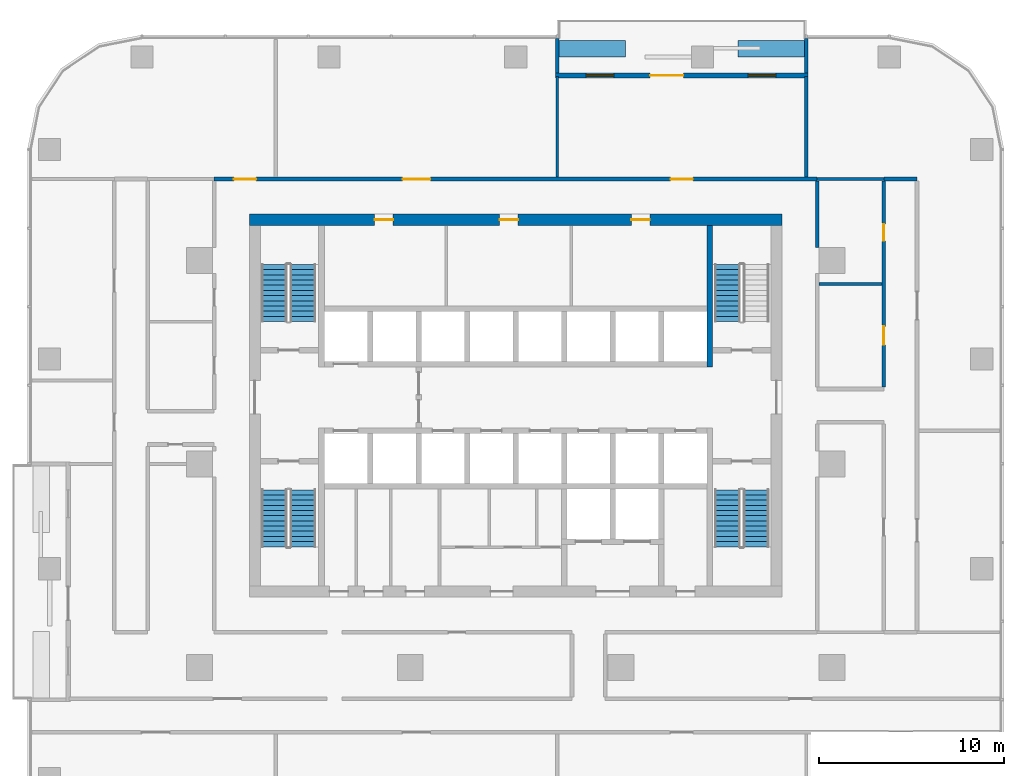
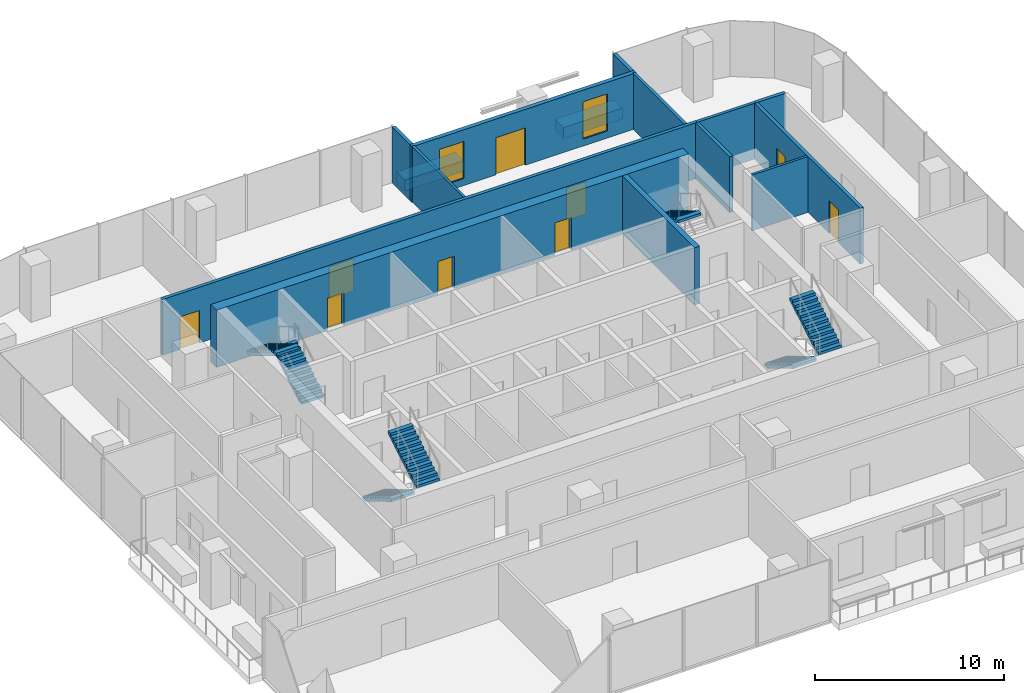
# One storey, part 10 of 14: 15 walls, 9 doors, 7 stair flights, 2 windows, 11 openings, 4 elements without a shape of their own.
"""IFC4 building model written with IfcOpenShell, lengths in metres."""

from ifc_helpers import new_model, si_unit, direction, frame, frame_2d, origin, place, context, subcontext, project, spatial, polyline, rectangle, outline, extrude, material, layer, layer_set, type_object, element, fill, aggregate, save


model = new_model("IFC4")

# Units and contexts
model_context = context("Model", 3, precision=1e-05, world=origin(), true_north=direction((0.0, 1.0)))
body_context = subcontext(model_context, "Body", "Model", "MODEL_VIEW")
ifc_project = project(units=[si_unit("LENGTHUNIT", "METRE"), si_unit("AREAUNIT", "SQUARE_METRE"), si_unit("VOLUMEUNIT", "CUBIC_METRE"), si_unit("PLANEANGLEUNIT", "RADIAN"), si_unit("MASSUNIT", "GRAM", prefix="KILO")], contexts=[model_context])

# Site, building, storey
site_placement = place(None, origin())
site = spatial("IfcSite", under=ifc_project, at=site_placement, CompositionType="ELEMENT")
building_placement = place(site_placement, origin())
building = spatial("IfcBuilding", under=site, at=building_placement, Name="Mopane Tessera Tower", CompositionType="ELEMENT")
storey_placement = place(building_placement, frame((0.0, 0.0, 197.0)))
storey = spatial("IfcBuildingStorey", under=building, at=storey_placement, Name="L41", CompositionType="ELEMENT", Elevation=197.0)

# Wall, openings, doors
ifc_material_1 = material(Name="Concrete C70/85", Category="concrete")
ifc_layer_1 = layer(ifc_material_1, 0.60009765625)
ifc_layer_set_1 = layer_set([ifc_layer_1], Name="Concrete C70/85")
wall_type_1 = type_object("IfcWallType", Name="Core shear wall 600 mm", PredefinedType="SHEAR", material=ifc_layer_set_1)
wall_1_placement = place(storey_placement, frame((-14.39990234375, 13.199951171875, 0.0), z_axis=(0.0, 0.0, 1.0), x_axis=(1.0, 0.0, 0.0)))
wall_1 = element("IfcWall", 1, at=wall_1_placement, inside=storey, type_object=wall_type_1, Name="L41 Core wall north", PredefinedType="SHEAR", context=body_context, shape_type="SweptSolid", body=[
    extrude(rectangle(XDim=28.7998046875, YDim=0.60009765625, at=frame_2d((14.39990234375, 0.0))), origin(), (0.0, 0.0, 1.0), 3.699951171875),
])
opening_1_placement = place(wall_1_placement, frame((6.77490234375, 0.0, 0.0)))
opening_1 = element("IfcOpeningElement", 2, at=opening_1_placement, cuts=wall_1, Name="Opening RD1", PredefinedType="OPENING", context=body_context, shape_type="SweptSolid", body=[
    extrude(rectangle(XDim=1.0, YDim=2.10009765625, at=frame_2d((0.5, 1.050048828125))), frame((0.0, 0.31201171875, 0.0), z_axis=(0.0, -1.0, 0.0), x_axis=(1.0, 0.0, 0.0)), (0.0, 0.0, 1.0), 0.6240234375),
])
opening_2_placement = place(wall_1_placement, frame((13.52490234375, 0.0, 0.0)))
opening_2 = element("IfcOpeningElement", 3, at=opening_2_placement, cuts=wall_1, Name="Opening RD1", PredefinedType="OPENING", context=body_context, shape_type="SweptSolid", body=[
    extrude(rectangle(XDim=1.0, YDim=2.10009765625, at=frame_2d((0.5, 1.050048828125))), frame((0.0, 0.31201171875, 0.0), z_axis=(0.0, -1.0, 0.0), x_axis=(1.0, 0.0, 0.0)), (0.0, 0.0, 1.0), 0.6240234375),
])
opening_3_placement = place(wall_1_placement, frame((20.64990234375, 0.0, 0.0)))
opening_3 = element("IfcOpeningElement", 4, at=opening_3_placement, cuts=wall_1, Name="Opening RD1", PredefinedType="OPENING", context=body_context, shape_type="SweptSolid", body=[
    extrude(rectangle(XDim=1.0, YDim=2.10009765625, at=frame_2d((0.5, 1.050048828125))), frame((0.0, 0.31201171875, 0.0), z_axis=(0.0, -1.0, 0.0), x_axis=(1.0, 0.0, 0.0)), (0.0, 0.0, 1.0), 0.6240234375),
])
ifc_material_2 = material(Name="Timber door", Category="wood")
door_type_1 = type_object("IfcDoorType", Name="Core room door 1000 x 2100", OperationType="SINGLE_SWING_LEFT", PredefinedType="DOOR", material=ifc_material_2)
door_1_placement = place(opening_1_placement, origin())
door_1 = element("IfcDoor", 5, at=door_1_placement, inside=storey, type_object=door_type_1, Name="L41 Room door", OperationType="SINGLE_SWING_LEFT", OverallHeight=2.10009765625, OverallWidth=1.0, PredefinedType="DOOR", context=body_context, shape_type="SweptSolid", body=[
    extrude(rectangle(XDim=1.0, YDim=2.10009765625, at=frame_2d((0.5, 1.050048828125))), frame((0.0, 0.02490234375, 0.0), z_axis=(0.0, -1.0, 0.0), x_axis=(1.0, 0.0, 0.0)), (0.0, 0.0, 1.0), 0.050048828125),
])
fill(opening_1, door_1)
door_2_placement = place(opening_2_placement, origin())
door_2 = element("IfcDoor", 6, at=door_2_placement, inside=storey, type_object=door_type_1, Name="L41 Room door", OperationType="SINGLE_SWING_LEFT", OverallHeight=2.10009765625, OverallWidth=1.0, PredefinedType="DOOR", context=body_context, shape_type="SweptSolid", body=[
    extrude(rectangle(XDim=1.0, YDim=2.10009765625, at=frame_2d((0.5, 1.050048828125))), frame((0.0, 0.02490234375, 0.0), z_axis=(0.0, -1.0, 0.0), x_axis=(1.0, 0.0, 0.0)), (0.0, 0.0, 1.0), 0.050048828125),
])
fill(opening_2, door_2)
door_3_placement = place(opening_3_placement, origin())
door_3 = element("IfcDoor", 7, at=door_3_placement, inside=storey, type_object=door_type_1, Name="L41 Room door", OperationType="SINGLE_SWING_LEFT", OverallHeight=2.10009765625, OverallWidth=1.0, PredefinedType="DOOR", context=body_context, shape_type="SweptSolid", body=[
    extrude(rectangle(XDim=1.0, YDim=2.10009765625, at=frame_2d((0.5, 1.050048828125))), frame((0.0, 0.02490234375, 0.0), z_axis=(0.0, -1.0, 0.0), x_axis=(1.0, 0.0, 0.0)), (0.0, 0.0, 1.0), 0.050048828125),
])
fill(opening_3, door_3)

# Walls
ifc_material_3 = material(Name="Concrete C60/75", Category="concrete")
ifc_layer_2 = layer(ifc_material_3, 0.300048828125)
ifc_layer_set_2 = layer_set([ifc_layer_2], Name="Concrete C60/75")
wall_type_2 = type_object("IfcWallType", Name="Core spine wall 300 mm", PredefinedType="SHEAR", material=ifc_layer_set_2)
wall_2_placement = place(storey_placement, frame((10.5, 5.25, 0.0), z_axis=(0.0, 0.0, 1.0), x_axis=(0.0, 1.0, 0.0)))
element("IfcWall", 8, at=wall_2_placement, inside=storey, type_object=wall_type_2, Name="L41 Core spine wall", PredefinedType="SHEAR", context=body_context, shape_type="SweptSolid", body=[
    extrude(rectangle(XDim=7.64990234375, YDim=0.300048828125, at=frame_2d((3.824951171875, 0.0))), origin(), (0.0, 0.0, 1.0), 3.699951171875),
])
ifc_material_4 = material(Name="Gypsum board on staggered steel studs, double layer each face, acoustic mineral wool infill", Category="steel")
ifc_layer_3 = layer(ifc_material_4, 0.175048828125)
ifc_layer_set_3 = layer_set([ifc_layer_3], Name="Gypsum board on staggered steel studs, double layer each face, acoustic mineral wool infill")
wall_type_3 = type_object("IfcWallType", Name="Gypsum board acoustic partition 175, rated EI 60", PredefinedType="PARTITIONING", material=ifc_layer_set_3)
wall_3_placement = place(storey_placement, frame((16.300048828125, 15.39990234375, 0.0), z_axis=(0.0, 0.0, 1.0), x_axis=(1.0, 0.0, 0.0)))
element("IfcWall", 9, at=wall_3_placement, inside=storey, type_object=wall_type_3, Name="Partition L41:023", PredefinedType="PARTITIONING", context=body_context, shape_type="SweptSolid", body=[
    extrude(rectangle(XDim=3.599853515625, YDim=0.175048828125, at=frame_2d((1.7998046875, 0.0))), origin(), (0.0, 0.0, 1.0), 3.60009765625),
])
wall_4_placement = place(storey_placement, frame((15.7099609375, 15.5, 0.0), z_axis=(0.0, 0.0, 1.0), x_axis=(0.0, 1.0, 0.0)))
element("IfcWall", 10, at=wall_4_placement, inside=storey, type_object=wall_type_3, Name="Partition L41:041", PredefinedType="PARTITIONING", context=body_context, shape_type="SweptSolid", body=[
    extrude(rectangle(XDim=5.449951171875, YDim=0.175048828125, at=frame_2d((2.72509765625, 0.0))), origin(), (0.0, 0.0, 1.0), 3.60009765625),
])

# Wall, openings, doors
ifc_material_5 = material(Name="Gypsum board on steel studs, two layers each face, mineral wool infill", Category="steel")
ifc_layer_4 = layer(ifc_material_5, 0.199951171875)
ifc_layer_set_4 = layer_set([ifc_layer_4], Name="Gypsum board on steel studs, two layers each face, mineral wool infill")
wall_type_4 = type_object("IfcWallType", Name="Gypsum board corridor wall 200, rated EI 60", PredefinedType="PARTITIONING", material=ifc_layer_set_4)
wall_5_placement = place(storey_placement, frame((-16.300048828125, 15.39990234375, 0.0), z_axis=(0.0, 0.0, 1.0), x_axis=(1.0, 0.0, 0.0)))
wall_5 = element("IfcWall", 11, at=wall_5_placement, inside=storey, type_object=wall_type_4, Name="Partition L41:025", PredefinedType="PARTITIONING", context=body_context, shape_type="SweptSolid", body=[
    extrude(rectangle(XDim=32.60009765625, YDim=0.199951171875, at=frame_2d((16.300048828125, 0.0))), origin(), (0.0, 0.0, 1.0), 3.60009765625),
])
opening_4_placement = place(wall_5_placement, frame((10.18505859375, 0.0, 0.0)))
opening_4 = element("IfcOpeningElement", 12, at=opening_4_placement, cuts=wall_5, Name="Opening L41-13", PredefinedType="OPENING", context=body_context, shape_type="SweptSolid", body=[
    extrude(rectangle(XDim=1.5, YDim=2.10009765625, at=frame_2d((0.75, 1.050048828125))), frame((0.0, 0.112060546875, 0.0), z_axis=(0.0, -1.0, 0.0), x_axis=(1.0, 0.0, 0.0)), (0.0, 0.0, 1.0), 0.223876953125),
])
opening_5_placement = place(wall_5_placement, frame((1.0625, 0.0, 0.0)))
opening_5 = element("IfcOpeningElement", 13, at=opening_5_placement, cuts=wall_5, Name="Opening L41-15", PredefinedType="OPENING", context=body_context, shape_type="SweptSolid", body=[
    extrude(rectangle(XDim=1.199951171875, YDim=2.10009765625, at=frame_2d((0.60009765625, 1.050048828125))), frame((0.0, 0.112060546875, 0.0), z_axis=(0.0, -1.0, 0.0), x_axis=(1.0, 0.0, 0.0)), (0.0, 0.0, 1.0), 0.223876953125),
])
opening_6_placement = place(wall_5_placement, frame((24.677490234375, 0.0, 0.0)))
opening_6 = element("IfcOpeningElement", 14, at=opening_6_placement, cuts=wall_5, Name="Opening L41-20", PredefinedType="OPENING", context=body_context, shape_type="SweptSolid", body=[
    extrude(rectangle(XDim=1.199951171875, YDim=2.10009765625, at=frame_2d((0.60009765625, 1.050048828125))), frame((0.0, 0.112060546875, 0.0), z_axis=(0.0, -1.0, 0.0), x_axis=(1.0, 0.0, 0.0)), (0.0, 0.0, 1.0), 0.223876953125),
])
ifc_material_6 = material(Name="Timber veneered steel-framed fire door", Category="steel")
door_type_2 = type_object("IfcDoorType", Name="Fire door FD60 1200 x 2100", OperationType="SINGLE_SWING_LEFT", PredefinedType="DOOR", material=ifc_material_6)
door_4_placement = place(opening_5_placement, origin())
door_4 = element("IfcDoor", 15, at=door_4_placement, inside=storey, type_object=door_type_2, Name="Door L41-15", ObjectType="D15A", OperationType="SINGLE_SWING_RIGHT", OverallHeight=2.10009765625, OverallWidth=1.199951171875, PredefinedType="DOOR", context=body_context, shape_type="SweptSolid", body=[
    extrude(rectangle(XDim=1.199951171875, YDim=2.10009765625, at=frame_2d((0.60009765625, 1.050048828125))), frame((0.0, 0.02490234375, 0.0), z_axis=(0.0, -1.0, 0.0), x_axis=(1.0, 0.0, 0.0)), (0.0, 0.0, 1.0), 0.050048828125),
])
fill(opening_5, door_4)
door_5_placement = place(opening_6_placement, origin())
door_5 = element("IfcDoor", 16, at=door_5_placement, inside=storey, type_object=door_type_2, Name="Door L41-20", ObjectType="D15A", OperationType="SINGLE_SWING_LEFT", OverallHeight=2.10009765625, OverallWidth=1.199951171875, PredefinedType="DOOR", context=body_context, shape_type="SweptSolid", body=[
    extrude(rectangle(XDim=1.199951171875, YDim=2.10009765625, at=frame_2d((0.60009765625, 1.050048828125))), frame((0.0, 0.02490234375, 0.0), z_axis=(0.0, -1.0, 0.0), x_axis=(1.0, 0.0, 0.0)), (0.0, 0.0, 1.0), 0.050048828125),
])
fill(opening_6, door_5)
ifc_material_7 = material(Name="Timber veneered steel-framed fire door", Category="steel")
door_type_3 = type_object("IfcDoorType", Name="Fire door pair FD60 1500 x 2100", OperationType="DOUBLE_DOOR_SINGLE_SWING", PredefinedType="DOOR", material=ifc_material_7)
door_6_placement = place(opening_4_placement, origin())
door_6 = element("IfcDoor", 17, at=door_6_placement, inside=storey, type_object=door_type_3, Name="Door L41-13", ObjectType="D17A", OperationType="DOUBLE_DOOR_SINGLE_SWING", OverallHeight=2.10009765625, OverallWidth=1.5, PredefinedType="DOOR", context=body_context, shape_type="SweptSolid", body=[
    extrude(rectangle(XDim=1.5, YDim=2.10009765625, at=frame_2d((0.75, 1.050048828125))), frame((0.0, 0.02490234375, 0.0), z_axis=(0.0, -1.0, 0.0), x_axis=(1.0, 0.0, 0.0)), (0.0, 0.0, 1.0), 0.050048828125),
])
fill(opening_4, door_6)

# Walls
wall_6_placement = place(storey_placement, frame((19.89990234375, 15.39990234375, 0.0), z_axis=(0.0, 0.0, 1.0), x_axis=(1.0, 0.0, 0.0)))
element("IfcWall", 18, at=wall_6_placement, inside=storey, type_object=wall_type_4, Name="Partition L41:026", PredefinedType="PARTITIONING", context=body_context, shape_type="SweptSolid", body=[
    extrude(rectangle(XDim=1.800048828125, YDim=0.199951171875, at=frame_2d((0.89990234375, 0.0))), origin(), (0.0, 0.0, 1.0), 3.60009765625),
])
wall_7_placement = place(storey_placement, frame((16.300048828125, 11.699951171875, 0.0), z_axis=(0.0, 0.0, 1.0), x_axis=(0.0, 1.0, 0.0)))
element("IfcWall", 19, at=wall_7_placement, inside=storey, type_object=wall_type_4, Name="Partition L41:045", PredefinedType="PARTITIONING", context=body_context, shape_type="SweptSolid", body=[
    extrude(rectangle(XDim=3.60009765625, YDim=0.199951171875, at=frame_2d((1.800048828125, 0.0))), origin(), (0.0, 0.0, 1.0), 3.60009765625),
])

# Wall, openings, doors
wall_8_placement = place(storey_placement, frame((19.89990234375, 4.14990234375, 0.0), z_axis=(0.0, 0.0, 1.0), x_axis=(0.0, 1.0, 0.0)))
wall_8 = element("IfcWall", 20, at=wall_8_placement, inside=storey, type_object=wall_type_4, Name="Partition L41:047", PredefinedType="PARTITIONING", context=body_context, shape_type="SweptSolid", body=[
    extrude(rectangle(XDim=11.150146484375, YDim=0.199951171875, at=frame_2d((5.5751953125, 0.0))), origin(), (0.0, 0.0, 1.0), 3.60009765625),
])
opening_7_placement = place(wall_8_placement, frame((7.91259765625, 0.0, 0.0)))
opening_7 = element("IfcOpeningElement", 21, at=opening_7_placement, cuts=wall_8, Name="Opening L41-03", PredefinedType="OPENING", context=body_context, shape_type="SweptSolid", body=[
    extrude(rectangle(XDim=0.89990234375, YDim=2.10009765625, at=frame_2d((0.449951171875, 1.050048828125))), frame((0.0, 0.112060546875, 0.0), z_axis=(0.0, -1.0, 0.0), x_axis=(1.0, 0.0, 0.0)), (0.0, 0.0, 1.0), 0.223876953125),
])
opening_8_placement = place(wall_8_placement, frame((2.28759765625, 0.0, 0.0)))
opening_8 = element("IfcOpeningElement", 22, at=opening_8_placement, cuts=wall_8, Name="Opening L41-07", PredefinedType="OPENING", context=body_context, shape_type="SweptSolid", body=[
    extrude(rectangle(XDim=1.0, YDim=2.10009765625, at=frame_2d((0.5, 1.050048828125))), frame((0.0, 0.112060546875, 0.0), z_axis=(0.0, -1.0, 0.0), x_axis=(1.0, 0.0, 0.0)), (0.0, 0.0, 1.0), 0.223876953125),
])
ifc_material_8 = material(Name="Timber veneered steel-framed fire door", Category="steel")
door_type_4 = type_object("IfcDoorType", Name="Fire door FD60 1000 x 2100", OperationType="SINGLE_SWING_LEFT", PredefinedType="DOOR", material=ifc_material_8)
door_7_placement = place(opening_8_placement, origin())
door_7 = element("IfcDoor", 23, at=door_7_placement, inside=storey, type_object=door_type_4, Name="Door L41-07", ObjectType="D12A", OperationType="SINGLE_SWING_RIGHT", OverallHeight=2.10009765625, OverallWidth=1.0, PredefinedType="DOOR", context=body_context, shape_type="SweptSolid", body=[
    extrude(rectangle(XDim=1.0, YDim=2.10009765625, at=frame_2d((0.5, 1.050048828125))), frame((0.0, 0.02490234375, 0.0), z_axis=(0.0, -1.0, 0.0), x_axis=(1.0, 0.0, 0.0)), (0.0, 0.0, 1.0), 0.050048828125),
])
fill(opening_8, door_7)
ifc_material_9 = material(Name="Timber veneered steel-framed fire door", Category="steel")
door_type_5 = type_object("IfcDoorType", Name="Fire door FD60 900 x 2100", OperationType="SINGLE_SWING_LEFT", PredefinedType="DOOR", material=ifc_material_9)
door_8_placement = place(opening_7_placement, origin())
door_8 = element("IfcDoor", 24, at=door_8_placement, inside=storey, type_object=door_type_5, Name="Door L41-03", ObjectType="D10A", OperationType="SINGLE_SWING_RIGHT", OverallHeight=2.10009765625, OverallWidth=0.89990234375, PredefinedType="DOOR", context=body_context, shape_type="SweptSolid", body=[
    extrude(rectangle(XDim=0.89990234375, YDim=2.10009765625, at=frame_2d((0.449951171875, 1.050048828125))), frame((0.0, 0.02490234375, 0.0), z_axis=(0.0, -1.0, 0.0), x_axis=(1.0, 0.0, 0.0)), (0.0, 0.0, 1.0), 0.050048828125),
])
fill(opening_7, door_8)

# Walls
ifc_material_10 = material(Name="Gypsum board on steel studs, mineral wool infill", Category="steel")
ifc_layer_5 = layer(ifc_material_10, 0.14990234375)
ifc_layer_set_5 = layer_set([ifc_layer_5], Name="Gypsum board on steel studs, mineral wool infill")
wall_type_5 = type_object("IfcWallType", Name="Gypsum board partition 150, rated EI 60", PredefinedType="PARTITIONING", material=ifc_layer_set_5)
wall_9_placement = place(storey_placement, frame((16.39990234375, 9.72509765625, 0.0), z_axis=(0.0, 0.0, 1.0), x_axis=(1.0, 0.0, 0.0)))
element("IfcWall", 25, at=wall_9_placement, inside=storey, type_object=wall_type_5, Name="Partition L41:020", PredefinedType="PARTITIONING", context=body_context, shape_type="SweptSolid", body=[
    extrude(rectangle(XDim=3.400146484375, YDim=0.14990234375, at=frame_2d((1.7001953125, 0.0))), origin(), (0.0, 0.0, 1.0), 3.60009765625),
])
wall_10_placement = place(storey_placement, frame((2.2451171875, 15.5, 0.0), z_axis=(0.0, 0.0, 1.0), x_axis=(0.0, 1.0, 0.0)))
element("IfcWall", 26, at=wall_10_placement, inside=storey, type_object=wall_type_5, Name="Partition L41:036", PredefinedType="PARTITIONING", context=body_context, shape_type="SweptSolid", body=[
    extrude(rectangle(XDim=5.449951171875, YDim=0.14990234375, at=frame_2d((2.72509765625, 0.0))), origin(), (0.0, 0.0, 1.0), 3.60009765625),
])
ifc_material_11 = material(Name="Reinforced concrete C32/40 with waterproofing", Category="concrete")
ifc_layer_6 = layer(ifc_material_11, 0.89990234375)
ifc_layer_set_6 = layer_set([ifc_layer_6], Name="Reinforced concrete C32/40 with waterproofing")
wall_type_6 = type_object("IfcWallType", Name="Planter trough 3600 x 900", PredefinedType="STANDARD", material=ifc_layer_set_6)
for number, where, z_axis, x_axis, name in (
    (27, (15.611083984375, 22.449951171875, 0.0), (0.0, 0.0, 1.0), (-1.0, 0.0, 0.0), "e:nw:L41:N3:pl0"),
    (28, (5.9443359375, 22.449951171875, 0.0), (0.0, 0.0, 1.0), (-1.0, 0.0, 0.0), "e:nw:L41:N3:pl1"),
):
    element("IfcWall", number, at=place(storey_placement, frame(where, z_axis=z_axis, x_axis=x_axis)), inside=storey, type_object=wall_type_6, Name=name, PredefinedType="STANDARD", context=body_context, shape_type="SweptSolid", body=[
        extrude(rectangle(XDim=3.599853515625, YDim=0.89990234375, at=frame_2d((1.7998046875, 0.0))), origin(), (0.0, 0.0, 1.0), 0.699951171875),
    ])
ifc_material_12 = material(Name="Blockwork with glazed tile facing", Category="masonry")
ifc_layer_7 = layer(ifc_material_12, 0.199951171875)
ifc_layer_set_7 = layer_set([ifc_layer_7], Name="Blockwork with glazed tile facing")
wall_type_7 = type_object("IfcWallType", Name="Terrace cheek wall 200", PredefinedType="STANDARD", material=ifc_layer_set_7)
for number, where, z_axis, x_axis, name in (
    (29, (15.711181640625, 23.0, 0.0), (0.0, 0.0, 1.0), (0.0, -1.0, 0.0), "e:nw:L41:N3:cheeka"),
    (30, (2.244384765625, 23.0, 0.0), (0.0, 0.0, 1.0), (0.0, -1.0, 0.0), "e:nw:L41:N3:cheekb"),
):
    element("IfcWall", number, at=place(storey_placement, frame(where, z_axis=z_axis, x_axis=x_axis)), inside=storey, type_object=wall_type_7, Name=name, PredefinedType="STANDARD", context=body_context, shape_type="SweptSolid", body=[
        extrude(rectangle(XDim=1.875, YDim=0.199951171875, at=frame_2d((0.9375, 0.0))), origin(), (0.0, 0.0, 1.0), 3.60009765625),
    ])

# Wall, openings, windows, door
ifc_material_13 = material(Name="Blockwork with turquoise glazed tile facing", Category="masonry")
ifc_layer_8 = layer(ifc_material_13, 0.25)
ifc_layer_set_8 = layer_set([ifc_layer_8], Name="Blockwork with turquoise glazed tile facing")
wall_type_8 = type_object("IfcWallType", Name="Tile-clad external wall 250, turquoise", PredefinedType="STANDARD", material=ifc_layer_set_8)
wall_11_placement = place(storey_placement, frame((15.81103515625, 21.0, 0.0), z_axis=(0.0, 0.0, 1.0), x_axis=(-1.0, 0.0, 0.0)))
wall_11 = element("IfcWall", 31, at=wall_11_placement, inside=storey, type_object=wall_type_8, Name="e:nw:L41:N3:back", PredefinedType="STANDARD", context=body_context, shape_type="SweptSolid", body=[
    extrude(rectangle(XDim=13.66650390625, YDim=0.25, at=frame_2d((6.833251953125, 0.0))), origin(), (0.0, 0.0, 1.0), 3.60009765625),
])
opening_9_placement = place(wall_11_placement, frame((1.75, 0.0, 0.449951171875)))
opening_9 = element("IfcOpeningElement", 32, at=opening_9_placement, cuts=wall_11, Name="Opening NW413A", PredefinedType="OPENING", context=body_context, shape_type="SweptSolid", body=[
    extrude(rectangle(XDim=1.5, YDim=2.39990234375, at=frame_2d((0.75, 1.199951171875))), frame((0.0, 0.136962890625, 0.0), z_axis=(0.0, -1.0, 0.0), x_axis=(1.0, 0.0, 0.0)), (0.0, 0.0, 1.0), 0.27392578125),
])
opening_10_placement = place(wall_11_placement, frame((6.75, 0.0, 0.0)))
opening_10 = element("IfcOpeningElement", 33, at=opening_10_placement, cuts=wall_11, Name="Opening ND413", PredefinedType="OPENING", context=body_context, shape_type="SweptSolid", body=[
    extrude(rectangle(XDim=1.800048828125, YDim=2.39990234375, at=frame_2d((0.89990234375, 1.199951171875))), frame((0.0, 0.136962890625, 0.0), z_axis=(0.0, -1.0, 0.0), x_axis=(1.0, 0.0, 0.0)), (0.0, 0.0, 1.0), 0.27392578125),
])
opening_11_placement = place(wall_11_placement, frame((10.5, 0.0, 0.449951171875)))
opening_11 = element("IfcOpeningElement", 34, at=opening_11_placement, cuts=wall_11, Name="Opening NW413B", PredefinedType="OPENING", context=body_context, shape_type="SweptSolid", body=[
    extrude(rectangle(XDim=1.5, YDim=2.39990234375, at=frame_2d((0.75, 1.199951171875))), frame((0.0, 0.136962890625, 0.0), z_axis=(0.0, -1.0, 0.0), x_axis=(1.0, 0.0, 0.0)), (0.0, 0.0, 1.0), 0.27392578125),
])
ifc_material_14 = material(Name="Clear laminated glass", Category="glass")
window_type = type_object("IfcWindowType", Name="Fixed window 1500 x 2400", PartitioningType="SINGLE_PANEL", PredefinedType="WINDOW", material=ifc_material_14)
window_1_placement = place(opening_9_placement, origin())
window_1 = element("IfcWindow", 35, at=window_1_placement, inside=storey, type_object=window_type, Name="e:nw:L41:N3:win0", OverallHeight=2.39990234375, OverallWidth=1.5, PartitioningType="SINGLE_PANEL", PredefinedType="WINDOW", context=body_context, shape_type="SweptSolid", body=[
    extrude(rectangle(XDim=1.5, YDim=2.39990234375, at=frame_2d((0.75, 1.199951171875))), frame((0.0, 0.030029296875, 0.0), z_axis=(0.0, -1.0, 0.0), x_axis=(1.0, 0.0, 0.0)), (0.0, 0.0, 1.0), 0.06005859375),
])
fill(opening_9, window_1)
window_2_placement = place(opening_11_placement, origin())
window_2 = element("IfcWindow", 36, at=window_2_placement, inside=storey, type_object=window_type, Name="e:nw:L41:N3:win2", OverallHeight=2.39990234375, OverallWidth=1.5, PartitioningType="SINGLE_PANEL", PredefinedType="WINDOW", context=body_context, shape_type="SweptSolid", body=[
    extrude(rectangle(XDim=1.5, YDim=2.39990234375, at=frame_2d((0.75, 1.199951171875))), frame((0.0, 0.030029296875, 0.0), z_axis=(0.0, -1.0, 0.0), x_axis=(1.0, 0.0, 0.0)), (0.0, 0.0, 1.0), 0.06005859375),
])
fill(opening_11, window_2)
ifc_material_15 = material(Name="Aluminium and clear glass", Category="aluminium")
door_type_6 = type_object("IfcDoorType", Name="Terrace double door 1800 x 2400", OperationType="DOUBLE_DOOR_SINGLE_SWING", PredefinedType="DOOR", material=ifc_material_15)
door_9_placement = place(opening_10_placement, origin())
door_9 = element("IfcDoor", 37, at=door_9_placement, inside=storey, type_object=door_type_6, Name="e:nw:L41:N3:door", ObjectType="D1", OperationType="DOUBLE_DOOR_SINGLE_SWING", OverallHeight=2.39990234375, OverallWidth=1.800048828125, PredefinedType="DOOR", context=body_context, shape_type="SweptSolid", body=[
    extrude(rectangle(XDim=1.800048828125, YDim=2.39990234375, at=frame_2d((0.89990234375, 1.199951171875))), frame((0.0, 0.02490234375, 0.0), z_axis=(0.0, -1.0, 0.0), x_axis=(1.0, 0.0, 0.0)), (0.0, 0.0, 1.0), 0.050048828125),
])
fill(opening_10, door_9)

# Stair, stair flights
ifc_material_16 = material(Name="Concrete C50/60", Category="concrete")
stair_type = type_object("IfcStairType", Name="Escape stair 1400 mm, riser 167 mm", PredefinedType="HALF_TURN_STAIR", material=ifc_material_16)
stair_1_placement = place(storey_placement, origin())
stair_1 = element("IfcStair", 38, at=stair_1_placement, inside=storey, type_object=stair_type, Name="L41 Escape stair south-west", PredefinedType="HALF_TURN_STAIR")
ifc_material_17 = material(Name="Concrete C50/60", Category="concrete")
stair_flight_type = type_object("IfcStairFlightType", Name="Escape stair flight 1400 mm", PredefinedType="STRAIGHT", material=ifc_material_17)
stair_flight_1_placement = place(storey_placement, frame((-13.050048828125, -1.39990234375, 0.0), z_axis=(0.0, 0.0, 1.0), x_axis=(0.0, -1.0, 0.0)))
stair_flight_1 = element("IfcStairFlight", 39, at=stair_flight_1_placement, type_object=stair_flight_type, Name="ST1 flight 1", NumberOfRisers=12, NumberOfTreads=11, PredefinedType="STRAIGHT", RiserHeight=0.166666667, TreadLength=0.28, context=body_context, shape_type="SweptSolid", body=[
    extrude(outline(polyline([(0.0, 0.0), (0.0, 0.166748046875), (0.280029296875, 0.166748046875), (0.280029296875, 0.333251953125), (0.56005859375, 0.333251953125), (0.56005859375, 0.5), (0.840087890625, 0.5), (0.840087890625, 0.666748046875), (1.1201171875, 0.666748046875), (1.1201171875, 0.833251953125), (1.39990234375, 0.833251953125), (1.39990234375, 1.0), (1.679931640625, 1.0), (1.679931640625, 1.166748046875), (1.9599609375, 1.166748046875), (1.9599609375, 1.333251953125), (2.239990234375, 1.333251953125), (2.239990234375, 1.5), (2.52001953125, 1.5), (2.52001953125, 1.666748046875), (2.800048828125, 1.666748046875), (2.800048828125, 1.833251953125), (3.080078125, 1.833251953125), (3.080078125, 2.0), (3.080078125, 1.658935546875), (0.29296875, 0.0), (0.0, 0.0)])), frame((0.0, 0.699951171875, 0.0), z_axis=(0.0, -1.0, 0.0), x_axis=(1.0, 0.0, 0.0)), (0.0, 0.0, 1.0), 1.39990234375),
])
stair_flight_2_placement = place(storey_placement, frame((-11.5, -4.47998046875, 2.0), z_axis=(0.0, 0.0, 1.0), x_axis=(0.0, 1.0, 0.0)))
stair_flight_2 = element("IfcStairFlight", 40, at=stair_flight_2_placement, type_object=stair_flight_type, Name="ST1 flight 2", NumberOfRisers=12, NumberOfTreads=11, PredefinedType="STRAIGHT", RiserHeight=0.166666667, TreadLength=0.28, context=body_context, shape_type="SweptSolid", body=[
    extrude(outline(polyline([(0.0, 0.0), (0.0, 0.166748046875), (0.280029296875, 0.166748046875), (0.280029296875, 0.333251953125), (0.56005859375, 0.333251953125), (0.56005859375, 0.5), (0.840087890625, 0.5), (0.840087890625, 0.666748046875), (1.1201171875, 0.666748046875), (1.1201171875, 0.833251953125), (1.39990234375, 0.833251953125), (1.39990234375, 1.0), (1.679931640625, 1.0), (1.679931640625, 1.166748046875), (1.9599609375, 1.166748046875), (1.9599609375, 1.333251953125), (2.239990234375, 1.333251953125), (2.239990234375, 1.5), (2.52001953125, 1.5), (2.52001953125, 1.666748046875), (2.800048828125, 1.666748046875), (2.800048828125, 1.833251953125), (3.080078125, 1.833251953125), (3.080078125, 2.0), (3.080078125, 1.658935546875), (0.29296875, 0.0), (0.0, 0.0)])), frame((0.0, 0.699951171875, 0.0), z_axis=(0.0, -1.0, 0.0), x_axis=(1.0, 0.0, 0.0)), (0.0, 0.0, 1.0), 1.39990234375),
])
aggregate(stair_1, [stair_flight_1, stair_flight_2])

stair_2_placement = place(storey_placement, origin())
stair_2 = element("IfcStair", 41, at=stair_2_placement, inside=storey, type_object=stair_type, Name="L41 Escape stair north-west", PredefinedType="HALF_TURN_STAIR")
stair_flight_3_placement = place(storey_placement, frame((-11.5, 7.699951171875, 0.0), z_axis=(0.0, 0.0, 1.0), x_axis=(0.0, 1.0, 0.0)))
stair_flight_3 = element("IfcStairFlight", 42, at=stair_flight_3_placement, type_object=stair_flight_type, Name="ST2 flight 1", NumberOfRisers=12, NumberOfTreads=11, PredefinedType="STRAIGHT", RiserHeight=0.166666667, TreadLength=0.28, context=body_context, shape_type="SweptSolid", body=[
    extrude(outline(polyline([(0.0, 0.0), (0.0, 0.166748046875), (0.280029296875, 0.166748046875), (0.280029296875, 0.333251953125), (0.56005859375, 0.333251953125), (0.56005859375, 0.5), (0.840087890625, 0.5), (0.840087890625, 0.666748046875), (1.1201171875, 0.666748046875), (1.1201171875, 0.833251953125), (1.39990234375, 0.833251953125), (1.39990234375, 1.0), (1.679931640625, 1.0), (1.679931640625, 1.166748046875), (1.9599609375, 1.166748046875), (1.9599609375, 1.333251953125), (2.239990234375, 1.333251953125), (2.239990234375, 1.5), (2.52001953125, 1.5), (2.52001953125, 1.666748046875), (2.800048828125, 1.666748046875), (2.800048828125, 1.833251953125), (3.080078125, 1.833251953125), (3.080078125, 2.0), (3.080078125, 1.658935546875), (0.29296875, 0.0), (0.0, 0.0)])), frame((0.0, 0.699951171875, 0.0), z_axis=(0.0, -1.0, 0.0), x_axis=(1.0, 0.0, 0.0)), (0.0, 0.0, 1.0), 1.39990234375),
])
stair_flight_4_placement = place(storey_placement, frame((-13.050048828125, 10.780029296875, 2.0), z_axis=(0.0, 0.0, 1.0), x_axis=(0.0, -1.0, 0.0)))
stair_flight_4 = element("IfcStairFlight", 43, at=stair_flight_4_placement, type_object=stair_flight_type, Name="ST2 flight 2", NumberOfRisers=12, NumberOfTreads=11, PredefinedType="STRAIGHT", RiserHeight=0.166666667, TreadLength=0.28, context=body_context, shape_type="SweptSolid", body=[
    extrude(outline(polyline([(0.0, 0.0), (0.0, 0.166748046875), (0.280029296875, 0.166748046875), (0.280029296875, 0.333251953125), (0.56005859375, 0.333251953125), (0.56005859375, 0.5), (0.840087890625, 0.5), (0.840087890625, 0.666748046875), (1.1201171875, 0.666748046875), (1.1201171875, 0.833251953125), (1.39990234375, 0.833251953125), (1.39990234375, 1.0), (1.679931640625, 1.0), (1.679931640625, 1.166748046875), (1.9599609375, 1.166748046875), (1.9599609375, 1.333251953125), (2.239990234375, 1.333251953125), (2.239990234375, 1.5), (2.52001953125, 1.5), (2.52001953125, 1.666748046875), (2.800048828125, 1.666748046875), (2.800048828125, 1.833251953125), (3.080078125, 1.833251953125), (3.080078125, 2.0), (3.080078125, 1.658935546875), (0.29296875, 0.0), (0.0, 0.0)])), frame((0.0, 0.699951171875, 0.0), z_axis=(0.0, -1.0, 0.0), x_axis=(1.0, 0.0, 0.0)), (0.0, 0.0, 1.0), 1.39990234375),
])
aggregate(stair_2, [stair_flight_3, stair_flight_4])

stair_3_placement = place(storey_placement, origin())
stair_3 = element("IfcStair", 44, at=stair_3_placement, inside=storey, type_object=stair_type, Name="L41 Escape stair south-east", PredefinedType="HALF_TURN_STAIR")
stair_flight_5_placement = place(storey_placement, frame((11.449951171875, -1.39990234375, 0.0), z_axis=(0.0, 0.0, 1.0), x_axis=(0.0, -1.0, 0.0)))
stair_flight_5 = element("IfcStairFlight", 45, at=stair_flight_5_placement, type_object=stair_flight_type, Name="ST3 flight 1", NumberOfRisers=12, NumberOfTreads=11, PredefinedType="STRAIGHT", RiserHeight=0.166666667, TreadLength=0.28, context=body_context, shape_type="SweptSolid", body=[
    extrude(outline(polyline([(0.0, 0.0), (0.0, 0.166748046875), (0.280029296875, 0.166748046875), (0.280029296875, 0.333251953125), (0.56005859375, 0.333251953125), (0.56005859375, 0.5), (0.840087890625, 0.5), (0.840087890625, 0.666748046875), (1.1201171875, 0.666748046875), (1.1201171875, 0.833251953125), (1.39990234375, 0.833251953125), (1.39990234375, 1.0), (1.679931640625, 1.0), (1.679931640625, 1.166748046875), (1.9599609375, 1.166748046875), (1.9599609375, 1.333251953125), (2.239990234375, 1.333251953125), (2.239990234375, 1.5), (2.52001953125, 1.5), (2.52001953125, 1.666748046875), (2.800048828125, 1.666748046875), (2.800048828125, 1.833251953125), (3.080078125, 1.833251953125), (3.080078125, 2.0), (3.080078125, 1.658935546875), (0.29296875, 0.0), (0.0, 0.0)])), frame((0.0, 0.699951171875, 0.0), z_axis=(0.0, -1.0, 0.0), x_axis=(1.0, 0.0, 0.0)), (0.0, 0.0, 1.0), 1.39990234375),
])
stair_flight_6_placement = place(storey_placement, frame((13.0, -4.47998046875, 2.0), z_axis=(0.0, 0.0, 1.0), x_axis=(0.0, 1.0, 0.0)))
stair_flight_6 = element("IfcStairFlight", 46, at=stair_flight_6_placement, type_object=stair_flight_type, Name="ST3 flight 2", NumberOfRisers=12, NumberOfTreads=11, PredefinedType="STRAIGHT", RiserHeight=0.166666667, TreadLength=0.28, context=body_context, shape_type="SweptSolid", body=[
    extrude(outline(polyline([(0.0, 0.0), (0.0, 0.166748046875), (0.280029296875, 0.166748046875), (0.280029296875, 0.333251953125), (0.56005859375, 0.333251953125), (0.56005859375, 0.5), (0.840087890625, 0.5), (0.840087890625, 0.666748046875), (1.1201171875, 0.666748046875), (1.1201171875, 0.833251953125), (1.39990234375, 0.833251953125), (1.39990234375, 1.0), (1.679931640625, 1.0), (1.679931640625, 1.166748046875), (1.9599609375, 1.166748046875), (1.9599609375, 1.333251953125), (2.239990234375, 1.333251953125), (2.239990234375, 1.5), (2.52001953125, 1.5), (2.52001953125, 1.666748046875), (2.800048828125, 1.666748046875), (2.800048828125, 1.833251953125), (3.080078125, 1.833251953125), (3.080078125, 2.0), (3.080078125, 1.658935546875), (0.29296875, 0.0), (0.0, 0.0)])), frame((0.0, 0.699951171875, 0.0), z_axis=(0.0, -1.0, 0.0), x_axis=(1.0, 0.0, 0.0)), (0.0, 0.0, 1.0), 1.39990234375),
])
aggregate(stair_3, [stair_flight_5, stair_flight_6])

# Stair, stair flight
stair_4_placement = place(storey_placement, origin())
stair_4 = element("IfcStair", 47, at=stair_4_placement, inside=storey, type_object=stair_type, Name="L41 Escape stair north-east", PredefinedType="HALF_TURN_STAIR")
stair_flight_7_placement = place(storey_placement, frame((11.449951171875, 10.780029296875, 2.0), z_axis=(0.0, 0.0, 1.0), x_axis=(0.0, -1.0, 0.0)))
stair_flight_7 = element("IfcStairFlight", 48, at=stair_flight_7_placement, type_object=stair_flight_type, Name="ST4 flight 2", NumberOfRisers=12, NumberOfTreads=11, PredefinedType="STRAIGHT", RiserHeight=0.166666667, TreadLength=0.28, context=body_context, shape_type="SweptSolid", body=[
    extrude(outline(polyline([(0.0, 0.0), (0.0, 0.166748046875), (0.280029296875, 0.166748046875), (0.280029296875, 0.333251953125), (0.56005859375, 0.333251953125), (0.56005859375, 0.5), (0.840087890625, 0.5), (0.840087890625, 0.666748046875), (1.1201171875, 0.666748046875), (1.1201171875, 0.833251953125), (1.39990234375, 0.833251953125), (1.39990234375, 1.0), (1.679931640625, 1.0), (1.679931640625, 1.166748046875), (1.9599609375, 1.166748046875), (1.9599609375, 1.333251953125), (2.239990234375, 1.333251953125), (2.239990234375, 1.5), (2.52001953125, 1.5), (2.52001953125, 1.666748046875), (2.800048828125, 1.666748046875), (2.800048828125, 1.833251953125), (3.080078125, 1.833251953125), (3.080078125, 2.0), (3.080078125, 1.658935546875), (0.29296875, 0.0), (0.0, 0.0)])), frame((0.0, 0.699951171875, 0.0), z_axis=(0.0, -1.0, 0.0), x_axis=(1.0, 0.0, 0.0)), (0.0, 0.0, 1.0), 1.39990234375),
])
aggregate(stair_4, [stair_flight_7])

save(model, "model.ifc")
